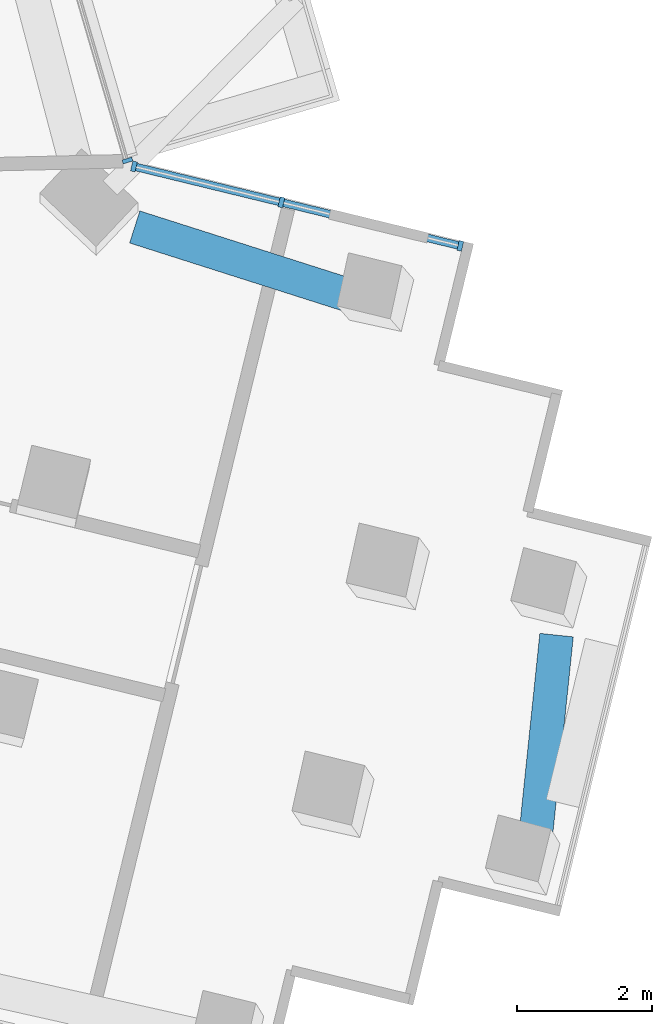
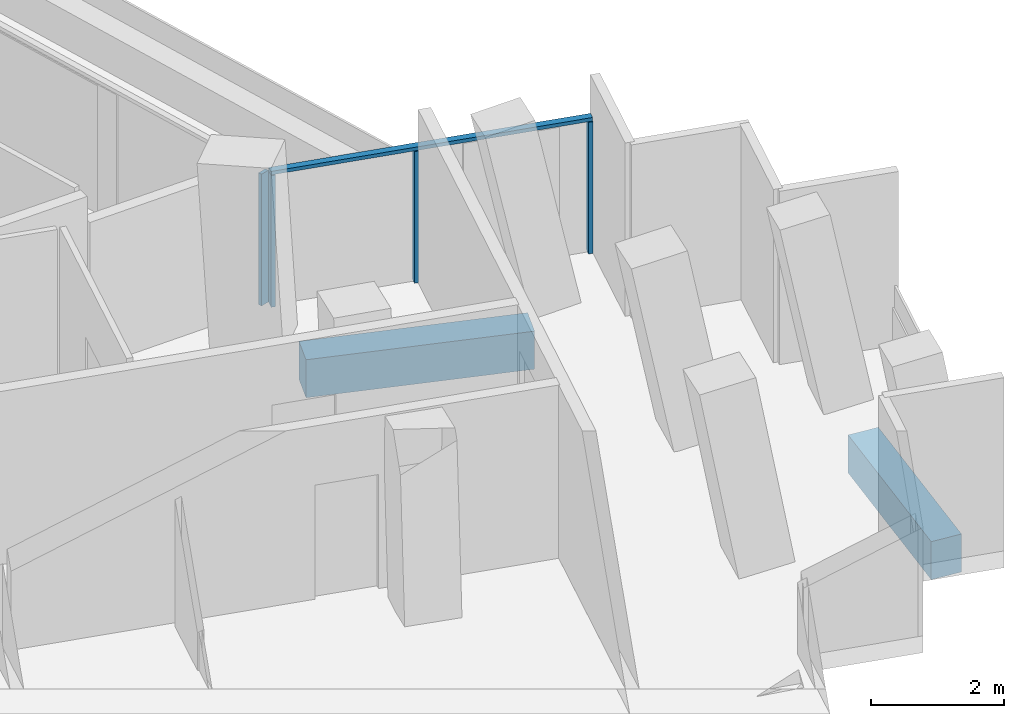
# One storey, part 6 of 25: 5 members, 2 beams, 2 elements without a shape of their own.
"""IFC4 building model written with IfcOpenShell, lengths in metres."""

from ifc_helpers import new_model, si_unit, direction, frame, origin, origin_2d, place, context, subcontext, project, spatial, rectangle, extrude, material, layer, layer_set, material_profile, profile_set, type_object, element, aggregate, save


model = new_model("IFC4")

# Units and contexts
model_context = context("Model", 3, precision=1e-05, world=origin(), true_north=direction((0.0, 1.0)))
body_context = subcontext(model_context, "Body", "Model", "MODEL_VIEW")
ifc_project = project(units=[si_unit("LENGTHUNIT", "METRE"), si_unit("AREAUNIT", "SQUARE_METRE"), si_unit("VOLUMEUNIT", "CUBIC_METRE"), si_unit("PLANEANGLEUNIT", "RADIAN"), si_unit("MASSUNIT", "GRAM", prefix="KILO")], contexts=[model_context])

# Site, building, storey
site_placement = place(None, origin())
site = spatial("IfcSite", under=ifc_project, at=site_placement, CompositionType="ELEMENT")
building_placement = place(site_placement, origin())
building = spatial("IfcBuilding", under=site, at=building_placement, Name="Verdalira Terraces Hotel", CompositionType="ELEMENT")
storey_placement = place(building_placement, frame((0.0, 0.0, 100.0)))
storey = spatial("IfcBuildingStorey", under=building, at=storey_placement, Name="L23", CompositionType="ELEMENT", Elevation=100.0)

# Curtain wall, member
ifc_material_1 = material(Name="Clear glass", Category="glass")
ifc_layer_1 = layer(ifc_material_1, 0.14990234375)
ifc_layer_set_1 = layer_set([ifc_layer_1], Name="CW1 curtain wall")
curtain_wall_type_1 = type_object("IfcCurtainWallType", Name="CW1 curtain wall", PredefinedType="NOTDEFINED", material=ifc_layer_set_1)
curtain_wall_1_placement = place(storey_placement, origin())
curtain_wall_1 = element("IfcCurtainWall", 1, at=curtain_wall_1_placement, inside=storey, type_object=curtain_wall_type_1, Name="CW1 curtain wall L23 edge 39", PredefinedType="NOTDEFINED")
ifc_material_2 = material(Name="Terracotta frame", Category="masonry")
ifc_material_profile_1 = material_profile(ifc_material_2, rectangle(XDim=0.060059, YDim=0.149902, at=origin_2d()), Name="MU 60x150")
ifc_profile_set_1 = profile_set([ifc_material_profile_1], Name="Terracotta frame")
member_type_1 = type_object("IfcMemberType", Name="CW1 mullion 60x150", PredefinedType="MULLION", material=ifc_profile_set_1)
member_1_placement = place(storey_placement, frame((25.0271, 0.586182, 0.0), z_axis=(0.0, 0.0, 1.0), x_axis=(-0.281001727, 0.959707262, 0.0)))
member_1 = element("IfcMember", 2, at=member_1_placement, type_object=member_type_1, Name="CW1 mullion", PredefinedType="MULLION", context=body_context, shape_type="SweptSolid", body=[
    extrude(rectangle(XDim=0.060059, YDim=0.149902, at=origin_2d()), origin(), (0.0, 0.0, 1.0), 2.425049),
])
aggregate(curtain_wall_1, [member_1])

# Curtain wall, members
ifc_material_3 = material(Name="Clear glass", Category="glass")
ifc_layer_2 = layer(ifc_material_3, 0.14990234375)
ifc_layer_set_2 = layer_set([ifc_layer_2], Name="CW2 curtain wall")
curtain_wall_type_2 = type_object("IfcCurtainWallType", Name="CW2 curtain wall", PredefinedType="NOTDEFINED", material=ifc_layer_set_2)
curtain_wall_2_placement = place(storey_placement, origin())
curtain_wall_2 = element("IfcCurtainWall", 3, at=curtain_wall_2_placement, inside=storey, type_object=curtain_wall_type_2, Name="CW2 curtain wall L23 edge 38", PredefinedType="NOTDEFINED")
ifc_material_4 = material(Name="Terracotta frame", Category="masonry")
ifc_material_profile_2 = material_profile(ifc_material_4, rectangle(XDim=0.070068, YDim=0.149902, at=origin_2d()), Name="MU 70x150")
ifc_profile_set_2 = profile_set([ifc_material_profile_2], Name="Terracotta frame")
member_type_2 = type_object("IfcMemberType", Name="CW2 mullion 70x150", PredefinedType="MULLION", material=ifc_profile_set_2)
member_2_placement = place(storey_placement, frame((29.970459, -0.682373, 0.0), z_axis=(0.0, 0.0, 1.0), x_axis=(-0.971631733, 0.236498997, 0.0)))
member_2 = element("IfcMember", 4, at=member_2_placement, type_object=member_type_2, Name="CW2 mullion", PredefinedType="MULLION", context=body_context, shape_type="SweptSolid", body=[
    extrude(rectangle(XDim=0.070068, YDim=0.149902, at=origin_2d()), origin(), (0.0, 0.0, 1.0), 2.425049),
])
member_3_placement = place(storey_placement, frame((27.312988, -0.0354, 0.0), z_axis=(0.0, 0.0, 1.0), x_axis=(-0.971631733, 0.236498997, 0.0)))
member_3 = element("IfcMember", 5, at=member_3_placement, type_object=member_type_2, Name="CW2 mullion", PredefinedType="MULLION", context=body_context, shape_type="SweptSolid", body=[
    extrude(rectangle(XDim=0.070068, YDim=0.149902, at=origin_2d()), origin(), (0.0, 0.0, 1.0), 2.425049),
])
member_4_placement = place(storey_placement, frame((25.123779, 0.497314, 0.0), z_axis=(0.0, 0.0, 1.0), x_axis=(-0.971631733, 0.236498997, 0.0)))
member_4 = element("IfcMember", 6, at=member_4_placement, type_object=member_type_2, Name="CW2 mullion", PredefinedType="MULLION", context=body_context, shape_type="SweptSolid", body=[
    extrude(rectangle(XDim=0.070068, YDim=0.149902, at=origin_2d()), origin(), (0.0, 0.0, 1.0), 2.425049),
])
ifc_material_5 = material(Name="Terracotta frame", Category="masonry")
ifc_material_profile_3 = material_profile(ifc_material_5, rectangle(XDim=0.11499, YDim=0.064941, at=origin_2d()), Name="TR 65x115")
ifc_profile_set_3 = profile_set([ifc_material_profile_3], Name="Terracotta frame")
member_type_3 = type_object("IfcMemberType", Name="CW2 transom 65x115", PredefinedType="USERDEFINED", material=ifc_profile_set_3)
member_5_placement = place(storey_placement, frame((30.004395, -0.690674, 2.45752), z_axis=(-0.971631343, 0.2365006, 0.0), x_axis=(-0.2365006, -0.971631343, 0.0)))
member_5 = element("IfcMember", 7, at=member_5_placement, type_object=member_type_3, Name="CW2 transom", ObjectType="TRANSOM", PredefinedType="USERDEFINED", context=body_context, shape_type="SweptSolid", body=[
    extrude(rectangle(XDim=0.11499, YDim=0.064941, at=origin_2d()), origin(), (0.0, 0.0, 1.0), 5.05835),
])
aggregate(curtain_wall_2, [member_2, member_3, member_4, member_5])

# Beams
ifc_material_6 = material(Name="Concrete C70", Category="concrete")
ifc_material_profile_4 = material_profile(ifc_material_6, rectangle(XDim=0.5, YDim=0.699951, at=origin_2d()), Name="RC 500X700")
ifc_profile_set_4 = profile_set([ifc_material_profile_4], Name="Concrete C70")
beam_type = type_object("IfcBeamType", Name="Spandrel beam RC 500X700 C70", PredefinedType="SPANDREL", material=ifc_profile_set_4)
beam_1_placement = place(storey_placement, frame((31.08252, -9.523438, -0.659912), z_axis=(0.103416336, 0.994638156, 0.0), x_axis=(-0.994638156, 0.103416336, 0.0)))
element("IfcBeam", 8, at=beam_1_placement, inside=storey, type_object=beam_type, Name="Spandrel beam B22", PredefinedType="SPANDREL", context=body_context, shape_type="SweptSolid", body=[
    extrude(rectangle(XDim=0.5, YDim=0.699951, at=origin_2d()), origin(), (0.0, 0.0, 1.0), 3.076172),
])
beam_2_placement = place(storey_placement, frame((28.499023, -1.473877, -0.659912), z_axis=(-0.952730346, 0.303817196, 0.0), x_axis=(-0.303817196, -0.952730346, 0.0)))
element("IfcBeam", 9, at=beam_2_placement, inside=storey, type_object=beam_type, Name="Spandrel beam B23", PredefinedType="SPANDREL", context=body_context, shape_type="SweptSolid", body=[
    extrude(rectangle(XDim=0.5, YDim=0.699951, at=origin_2d()), origin(), (0.0, 0.0, 1.0), 3.531006),
])

save(model, "model.ifc")
